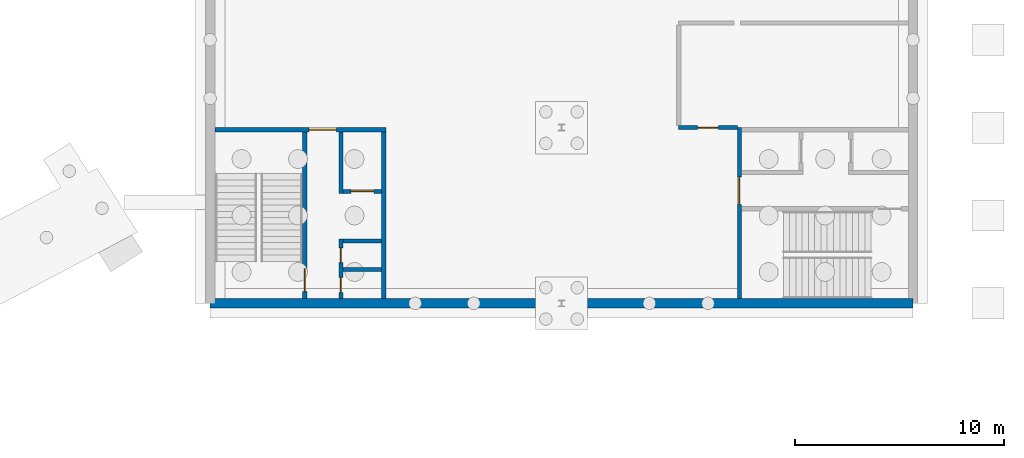
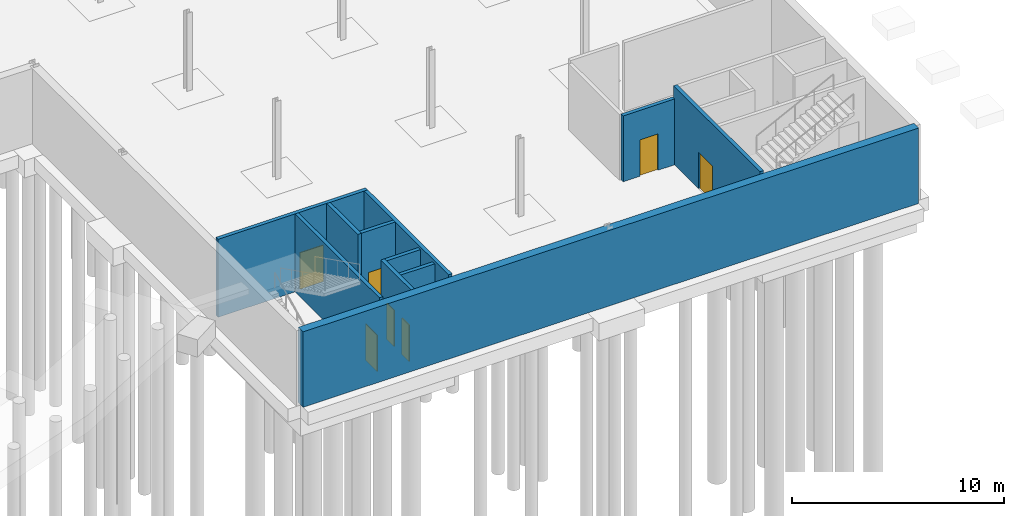
# One storey, part 23 of 35: 11 walls, 7 doors, 7 openings.
"""IFC4 building model written with IfcOpenShell, lengths in metres."""

from ifc_helpers import new_model, si_unit, direction, frame, frame_2d, origin, place, context, subcontext, project, spatial, rectangle, extrude, material, layer, layer_set, type_object, element, fill, save


model = new_model("IFC4")

# Units and contexts
model_context = context("Model", 3, precision=1e-05, world=origin(), true_north=direction((0.0, 1.0)))
body_context = subcontext(model_context, "Body", "Model", "MODEL_VIEW")
ifc_project = project(units=[si_unit("LENGTHUNIT", "METRE"), si_unit("AREAUNIT", "SQUARE_METRE"), si_unit("VOLUMEUNIT", "CUBIC_METRE"), si_unit("PLANEANGLEUNIT", "RADIAN"), si_unit("MASSUNIT", "GRAM", prefix="KILO")], contexts=[model_context])

# Site, building, storey
site_placement = place(None, origin())
site = spatial("IfcSite", under=ifc_project, at=site_placement, CompositionType="ELEMENT")
building_placement = place(site_placement, origin())
building = spatial("IfcBuilding", under=site, at=building_placement, Name="Ardhachandra Cancer Care Centre", CompositionType="ELEMENT")
storey_placement = place(building_placement, frame((0.0, 0.0, -4.5)))
storey = spatial("IfcBuildingStorey", under=building, at=storey_placement, Name="B1", CompositionType="ELEMENT", Elevation=-4.5)

# Wall, opening, door
ifc_material_1 = material(Name="Concrete M40", Category="concrete")
ifc_layer_1 = layer(ifc_material_1, 0.199951171875)
ifc_layer_set_1 = layer_set([ifc_layer_1], Name="Concrete M40")
wall_type_1 = type_object("IfcWallType", Name="Core wall RC 200", PredefinedType="SOLIDWALL", material=ifc_layer_set_1)
wall_1_placement = place(storey_placement, frame((136.89990234375, 29.625, 0.0), z_axis=(0.0, 0.0, 1.0), x_axis=(0.0, 1.0, 0.0)))
wall_1 = element("IfcWall", 1, at=wall_1_placement, inside=storey, type_object=wall_type_1, Name="Core wall K9 ENT", PredefinedType="SOLIDWALL", context=body_context, shape_type="SweptSolid", body=[
    extrude(rectangle(XDim=8.175048828125, YDim=0.199951171875, at=frame_2d((4.08740234375, 0.0))), origin(), (0.0, 0.0, 1.0), 4.5),
])
opening_1_placement = place(wall_1_placement, frame((4.512451171875, 0.0, 0.0)))
opening_1 = element("IfcOpeningElement", 2, at=opening_1_placement, cuts=wall_1, Name="Opening B1-K09-1", PredefinedType="OPENING", context=body_context, shape_type="SweptSolid", body=[
    extrude(rectangle(XDim=1.300048828125, YDim=2.10009765625, at=frame_2d((0.64990234375, 1.050048828125))), frame((0.0, 0.10986328125, 0.0), z_axis=(0.0, -1.0, 0.0), x_axis=(1.0, 0.0, 0.0)), (0.0, 0.0, 1.0), 0.219970703125),
])
ifc_material_2 = material(Name="Steel door set", Category="steel")
door_type_1 = type_object("IfcDoorType", Name="Core entry double door 1300x2100 FD60", OperationType="DOUBLE_DOOR_DOUBLE_SWING", PredefinedType="DOOR", material=ifc_material_2)
door_1_placement = place(opening_1_placement, origin())
door_1 = element("IfcDoor", 3, at=door_1_placement, inside=storey, type_object=door_type_1, Name="Core entry door", OperationType="DOUBLE_DOOR_DOUBLE_SWING", OverallHeight=2.10009765625, OverallWidth=1.300048828125, PredefinedType="DOOR", context=body_context, shape_type="SweptSolid", body=[
    extrude(rectangle(XDim=1.300048828125, YDim=2.10009765625, at=frame_2d((0.64990234375, 1.050048828125))), frame((0.0, 0.02490234375, 0.0), z_axis=(0.0, -1.0, 0.0), x_axis=(1.0, 0.0, 0.0)), (0.0, 0.0, 1.0), 0.050048828125),
])
fill(opening_1, door_1)

wall_2_placement = place(storey_placement, frame((111.824951171875, 37.699951171875, 0.0), z_axis=(0.0, 0.0, 1.0), x_axis=(1.0, 0.0, 0.0)))
wall_2 = element("IfcWall", 4, at=wall_2_placement, inside=storey, type_object=wall_type_1, Name="Core wall K11 ENT", PredefinedType="SOLIDWALL", context=body_context, shape_type="SweptSolid", body=[
    extrude(rectangle(XDim=8.175048828125, YDim=0.199951171875, at=frame_2d((4.08740234375, 0.0))), origin(), (0.0, 0.0, 1.0), 4.5),
])
opening_2_placement = place(wall_2_placement, frame((4.512451171875, 0.0, 0.0)))
opening_2 = element("IfcOpeningElement", 5, at=opening_2_placement, cuts=wall_2, Name="Opening B1-K11-1", PredefinedType="OPENING", context=body_context, shape_type="SweptSolid", body=[
    extrude(rectangle(XDim=1.300048828125, YDim=2.10009765625, at=frame_2d((0.64990234375, 1.050048828125))), frame((0.0, 0.10986328125, 0.0), z_axis=(0.0, -1.0, 0.0), x_axis=(1.0, 0.0, 0.0)), (0.0, 0.0, 1.0), 0.219970703125),
])
door_2_placement = place(opening_2_placement, origin())
door_2 = element("IfcDoor", 6, at=door_2_placement, inside=storey, type_object=door_type_1, Name="Core entry door", OperationType="DOUBLE_DOOR_DOUBLE_SWING", OverallHeight=2.10009765625, OverallWidth=1.300048828125, PredefinedType="DOOR", context=body_context, shape_type="SweptSolid", body=[
    extrude(rectangle(XDim=1.300048828125, YDim=2.10009765625, at=frame_2d((0.64990234375, 1.050048828125))), frame((0.0, 0.02490234375, 0.0), z_axis=(0.0, -1.0, 0.0), x_axis=(1.0, 0.0, 0.0)), (0.0, 0.0, 1.0), 0.050048828125),
])
fill(opening_2, door_2)

# Wall
wall_3_placement = place(storey_placement, frame((119.89990234375, 37.60009765625, 0.0), z_axis=(0.0, 0.0, 1.0), x_axis=(0.0, -1.0, 0.0)))
element("IfcWall", 7, at=wall_3_placement, inside=storey, type_object=wall_type_1, Name="Core wall K11 UE", PredefinedType="SOLIDWALL", context=body_context, shape_type="SweptSolid", body=[
    extrude(rectangle(XDim=7.97509765625, YDim=0.199951171875, at=frame_2d((3.987548828125, 0.0))), origin(), (0.0, 0.0, 1.0), 4.5),
])

# Wall, opening, door
wall_4_placement = place(storey_placement, frame((116.125, 37.60009765625, 0.0), z_axis=(0.0, 0.0, 1.0), x_axis=(0.0, -1.0, 0.0)))
wall_4 = element("IfcWall", 8, at=wall_4_placement, inside=storey, type_object=wall_type_1, Name="Core wall K11 P1", PredefinedType="SOLIDWALL", context=body_context, shape_type="SweptSolid", body=[
    extrude(rectangle(XDim=7.97509765625, YDim=0.199951171875, at=frame_2d((3.987548828125, 0.0))), origin(), (0.0, 0.0, 1.0), 4.5),
])
opening_3_placement = place(wall_4_placement, frame((6.53759765625, 0.0, 0.0)))
opening_3 = element("IfcOpeningElement", 9, at=opening_3_placement, cuts=wall_4, Name="Opening B1-K11-2", PredefinedType="OPENING", context=body_context, shape_type="SweptSolid", body=[
    extrude(rectangle(XDim=1.10009765625, YDim=2.10009765625, at=frame_2d((0.550048828125, 1.050048828125))), frame((0.0, 0.10986328125, 0.0), z_axis=(0.0, -1.0, 0.0), x_axis=(1.0, 0.0, 0.0)), (0.0, 0.0, 1.0), 0.219970703125),
])
ifc_material_3 = material(Name="Steel door set", Category="steel")
door_type_2 = type_object("IfcDoorType", Name="Stair door 1100x2100 FD60S", OperationType="NOTDEFINED", PredefinedType="DOOR", material=ifc_material_3)
door_3_placement = place(opening_3_placement, origin())
door_3 = element("IfcDoor", 10, at=door_3_placement, inside=storey, type_object=door_type_2, Name="Stair door", OperationType="SINGLE_SWING_LEFT", OverallHeight=2.10009765625, OverallWidth=1.10009765625, PredefinedType="DOOR", context=body_context, shape_type="SweptSolid", body=[
    extrude(rectangle(XDim=1.10009765625, YDim=2.10009765625, at=frame_2d((0.550048828125, 1.050048828125))), frame((0.0, 0.02490234375, 0.0), z_axis=(0.0, -1.0, 0.0), x_axis=(1.0, 0.0, 0.0)), (0.0, 0.0, 1.0), 0.050048828125),
])
fill(opening_3, door_3)

# Wall
wall_5_placement = place(storey_placement, frame((117.85009765625, 37.60009765625, 0.0), z_axis=(0.0, 0.0, 1.0), x_axis=(0.0, -1.0, 0.0)))
element("IfcWall", 11, at=wall_5_placement, inside=storey, type_object=wall_type_1, Name="Core wall K11 P2A", PredefinedType="SOLIDWALL", context=body_context, shape_type="SweptSolid", body=[
    extrude(rectangle(XDim=2.9501953125, YDim=0.199951171875, at=frame_2d((1.47509765625, 0.0))), origin(), (0.0, 0.0, 1.0), 4.5),
])

# Wall, openings, doors
wall_6_placement = place(storey_placement, frame((117.85009765625, 32.47509765625, 0.0), z_axis=(0.0, 0.0, 1.0), x_axis=(0.0, -1.0, 0.0)))
wall_6 = element("IfcWall", 12, at=wall_6_placement, inside=storey, type_object=wall_type_1, Name="Core wall K11 P2B", PredefinedType="SOLIDWALL", context=body_context, shape_type="SweptSolid", body=[
    extrude(rectangle(XDim=2.85009765625, YDim=0.199951171875, at=frame_2d((1.425048828125, 0.0))), origin(), (0.0, 0.0, 1.0), 4.35009765625),
])
opening_4_placement = place(wall_6_placement, frame((0.425048828125, 0.0, 0.0)))
opening_4 = element("IfcOpeningElement", 13, at=opening_4_placement, cuts=wall_6, Name="Opening B1-K11-4", PredefinedType="OPENING", context=body_context, shape_type="SweptSolid", body=[
    extrude(rectangle(XDim=0.699951171875, YDim=2.10009765625, at=frame_2d((0.35009765625, 1.050048828125))), frame((0.0, 0.10986328125, 0.0), z_axis=(0.0, -1.0, 0.0), x_axis=(1.0, 0.0, 0.0)), (0.0, 0.0, 1.0), 0.219970703125),
])
opening_5_placement = place(wall_6_placement, frame((1.85009765625, 0.0, 0.0)))
opening_5 = element("IfcOpeningElement", 14, at=opening_5_placement, cuts=wall_6, Name="Opening B1-K11-5", PredefinedType="OPENING", context=body_context, shape_type="SweptSolid", body=[
    extrude(rectangle(XDim=0.699951171875, YDim=2.10009765625, at=frame_2d((0.35009765625, 1.050048828125))), frame((0.0, 0.10986328125, 0.0), z_axis=(0.0, -1.0, 0.0), x_axis=(1.0, 0.0, 0.0)), (0.0, 0.0, 1.0), 0.219970703125),
])
ifc_material_4 = material(Name="Steel door set", Category="steel")
door_type_3 = type_object("IfcDoorType", Name="Riser access door 700x2100 FD120S", OperationType="NOTDEFINED", PredefinedType="DOOR", material=ifc_material_4)
door_4_placement = place(opening_4_placement, origin())
door_4 = element("IfcDoor", 15, at=door_4_placement, inside=storey, type_object=door_type_3, Name="Riser access door", OperationType="SINGLE_SWING_RIGHT", OverallHeight=2.10009765625, OverallWidth=0.699951171875, PredefinedType="DOOR", context=body_context, shape_type="SweptSolid", body=[
    extrude(rectangle(XDim=0.699951171875, YDim=2.10009765625, at=frame_2d((0.35009765625, 1.050048828125))), frame((0.0, 0.02490234375, 0.0), z_axis=(0.0, -1.0, 0.0), x_axis=(1.0, 0.0, 0.0)), (0.0, 0.0, 1.0), 0.050048828125),
])
fill(opening_4, door_4)
door_5_placement = place(opening_5_placement, origin())
door_5 = element("IfcDoor", 16, at=door_5_placement, inside=storey, type_object=door_type_3, Name="Riser access door", OperationType="SINGLE_SWING_LEFT", OverallHeight=2.10009765625, OverallWidth=0.699951171875, PredefinedType="DOOR", context=body_context, shape_type="SweptSolid", body=[
    extrude(rectangle(XDim=0.699951171875, YDim=2.10009765625, at=frame_2d((0.35009765625, 1.050048828125))), frame((0.0, 0.02490234375, 0.0), z_axis=(0.0, -1.0, 0.0), x_axis=(1.0, 0.0, 0.0)), (0.0, 0.0, 1.0), 0.050048828125),
])
fill(opening_5, door_5)

# Wall, opening, door
wall_7_placement = place(storey_placement, frame((117.949951171875, 34.75, 0.0), z_axis=(0.0, 0.0, 1.0), x_axis=(1.0, 0.0, 0.0)))
wall_7 = element("IfcWall", 17, at=wall_7_placement, inside=storey, type_object=wall_type_1, Name="Core wall K11 W1", PredefinedType="SOLIDWALL", context=body_context, shape_type="SweptSolid", body=[
    extrude(rectangle(XDim=1.85009765625, YDim=0.199951171875, at=frame_2d((0.925048828125, 0.0))), origin(), (0.0, 0.0, 1.0), 4.5),
])
opening_6_placement = place(wall_7_placement, frame((0.375, 0.0, 0.0)))
opening_6 = element("IfcOpeningElement", 18, at=opening_6_placement, cuts=wall_7, Name="Opening B1-K11-3", PredefinedType="OPENING", context=body_context, shape_type="SweptSolid", body=[
    extrude(rectangle(XDim=1.10009765625, YDim=2.10009765625, at=frame_2d((0.550048828125, 1.050048828125))), frame((0.0, 0.10986328125, 0.0), z_axis=(0.0, -1.0, 0.0), x_axis=(1.0, 0.0, 0.0)), (0.0, 0.0, 1.0), 0.219970703125),
])
ifc_material_5 = material(Name="Stainless steel (grade 304)", Category="steel")
door_type_4 = type_object("IfcDoorType", Name="Lift landing door 1100x2100", OperationType="DOUBLE_DOOR_SLIDING", PredefinedType="DOOR", material=ifc_material_5)
door_6_placement = place(opening_6_placement, origin())
door_6 = element("IfcDoor", 19, at=door_6_placement, inside=storey, type_object=door_type_4, Name="Lift landing door LF-K11-1", OperationType="DOUBLE_DOOR_SLIDING", OverallHeight=2.10009765625, OverallWidth=1.10009765625, PredefinedType="DOOR", context=body_context, shape_type="SweptSolid", body=[
    extrude(rectangle(XDim=1.10009765625, YDim=2.10009765625, at=frame_2d((0.550048828125, 1.050048828125))), frame((0.0, 0.02490234375, 0.0), z_axis=(0.0, -1.0, 0.0), x_axis=(1.0, 0.0, 0.0)), (0.0, 0.0, 1.0), 0.050048828125),
])
fill(opening_6, door_6)

# Walls
for number, where, z_axis, x_axis, name in (
    (20, (117.949951171875, 32.375, 0.0), (0.0, 0.0, 1.0), (1.0, 0.0, 0.0), "Core wall K11 W2"),
    (21, (117.949951171875, 31.02490234375, 0.0), (0.0, 0.0, 1.0), (1.0, 0.0, 0.0), "Core wall K11 DIV"),
):
    element("IfcWall", number, at=place(storey_placement, frame(where, z_axis=z_axis, x_axis=x_axis)), inside=storey, type_object=wall_type_1, Name=name, PredefinedType="SOLIDWALL", context=body_context, shape_type="SweptSolid", body=[
        extrude(rectangle(XDim=1.85009765625, YDim=0.199951171875, at=frame_2d((0.925048828125, 0.0))), origin(), (0.0, 0.0, 1.0), 4.35009765625),
    ])

# Wall, opening, door
ifc_material_6 = material(Name="Brick masonry", Category="masonry")
ifc_layer_2 = layer(ifc_material_6, 0.199951171875)
ifc_layer_set_2 = layer_set([ifc_layer_2], Name="Brick masonry")
wall_type_2 = type_object("IfcWallType", Name="PLANT ROOM WALL 200", PredefinedType="SOLIDWALL", material=ifc_layer_set_2)
wall_8_placement = place(storey_placement, frame((134.0, 37.800048828125, 0.0), z_axis=(0.0, 0.0, 1.0), x_axis=(1.0, 0.0, 0.0)))
wall_8 = element("IfcWall", 22, at=wall_8_placement, inside=storey, type_object=wall_type_2, Name="R/wall/B1/h0037800_0134000", PredefinedType="SOLIDWALL", context=body_context, shape_type="SweptSolid", body=[
    extrude(rectangle(XDim=2.800048828125, YDim=0.199951171875, at=frame_2d((1.39990234375, 0.0))), origin(), (0.0, 0.0, 1.0), 3.800048828125),
])
opening_7_placement = place(wall_8_placement, frame((0.89990234375, 0.0, 0.0)))
opening_7 = element("IfcOpeningElement", 23, at=opening_7_placement, cuts=wall_8, Name="Opening B1-0002", PredefinedType="OPENING", context=body_context, shape_type="SweptSolid", body=[
    extrude(rectangle(XDim=1.0, YDim=2.10009765625, at=frame_2d((0.5, 1.050048828125))), frame((0.0, 0.10986328125, 0.0), z_axis=(0.0, -1.0, 0.0), x_axis=(1.0, 0.0, 0.0)), (0.0, 0.0, 1.0), 0.219970703125),
])
ifc_material_7 = material(Name="Steel fire door", Category="steel")
door_type_5 = type_object("IfcDoorType", Name="FIRE DOOR SINGLE 1000x2100 FD60", OperationType="NOTDEFINED", PredefinedType="DOOR", material=ifc_material_7)
door_7_placement = place(opening_7_placement, origin())
door_7 = element("IfcDoor", 24, at=door_7_placement, inside=storey, type_object=door_type_5, Name="Door B1-0002", OperationType="SINGLE_SWING_RIGHT", OverallHeight=2.10009765625, OverallWidth=1.0, PredefinedType="DOOR", context=body_context, shape_type="SweptSolid", body=[
    extrude(rectangle(XDim=1.0, YDim=2.10009765625, at=frame_2d((0.5, 1.050048828125))), frame((0.0, 0.02490234375, 0.0), z_axis=(0.0, -1.0, 0.0), x_axis=(1.0, 0.0, 0.0)), (0.0, 0.0, 1.0), 0.050048828125),
])
fill(opening_7, door_7)

# Wall
ifc_material_8 = material(Name="Concrete M40", Category="concrete")
ifc_layer_3 = layer(ifc_material_8, 0.449951171875)
ifc_layer_set_3 = layer_set([ifc_layer_3], Name="Concrete M40")
wall_type_3 = type_object("IfcWallType", Name="Retaining wall 450", PredefinedType="SOLIDWALL", material=ifc_layer_set_3)
wall_9_placement = place(storey_placement, frame((111.60009765625, 29.39990234375, 0.0), z_axis=(0.0, 0.0, 1.0), x_axis=(1.0, 0.0, 0.0)))
element("IfcWall", 25, at=wall_9_placement, inside=storey, type_object=wall_type_3, Name="Basement retaining wall 03", PredefinedType="SOLIDWALL", context=body_context, shape_type="SweptSolid", body=[
    extrude(rectangle(XDim=33.599853515625, YDim=0.449951171875, at=frame_2d((16.7998046875, 0.0))), origin(), (0.0, 0.0, 1.0), 4.35009765625),
])

save(model, "model.ifc")
